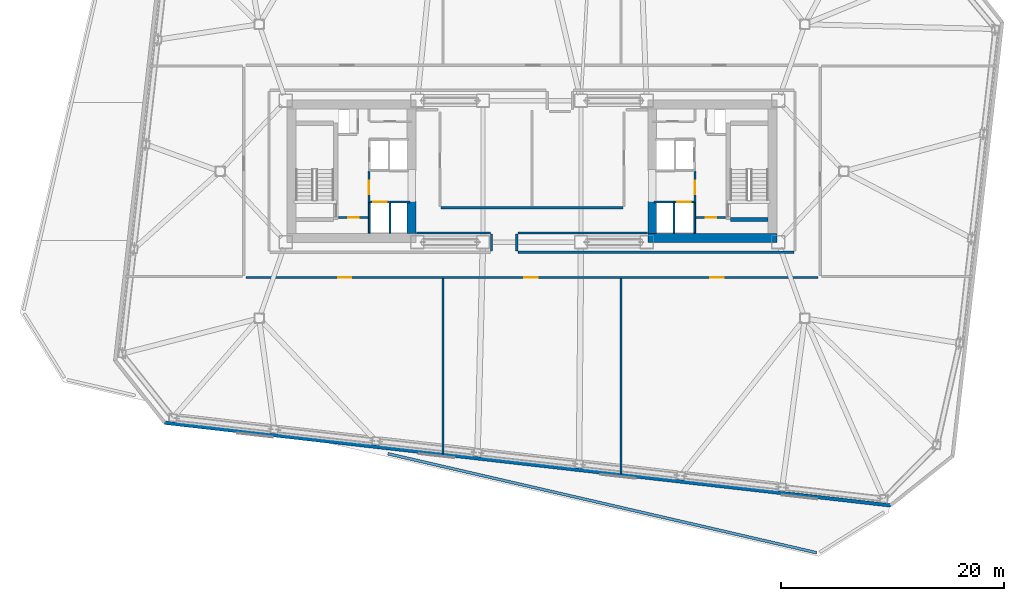
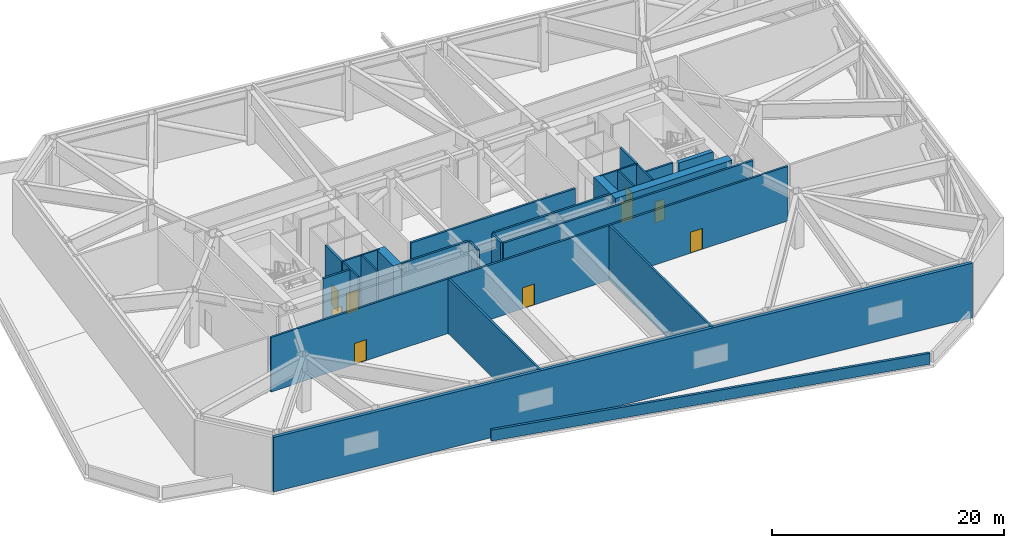
# One storey, part 4 of 14: 27 walls, 9 doors, 9 openings.
"""IFC4 building model written with IfcOpenShell, lengths in metres."""

from ifc_helpers import new_model, si_unit, direction, frame, frame_2d, origin, place, context, subcontext, project, spatial, rectangle, extrude, material, layer, layer_set, type_object, element, fill, save


model = new_model("IFC4")

# Units and contexts
model_context = context("Model", 3, precision=1e-05, world=origin(), true_north=direction((0.0, 1.0)))
body_context = subcontext(model_context, "Body", "Model", "MODEL_VIEW")
ifc_project = project(units=[si_unit("LENGTHUNIT", "METRE"), si_unit("AREAUNIT", "SQUARE_METRE"), si_unit("VOLUMEUNIT", "CUBIC_METRE"), si_unit("PLANEANGLEUNIT", "RADIAN"), si_unit("MASSUNIT", "GRAM", prefix="KILO")], contexts=[model_context])

# Site, building, storey
site_placement = place(None, origin())
site = spatial("IfcSite", under=ifc_project, at=site_placement, CompositionType="ELEMENT")
building_placement = place(site_placement, origin())
building = spatial("IfcBuilding", under=site, at=building_placement, Name="Tavrogorsk Clinical Tower", CompositionType="ELEMENT")
storey_placement = place(building_placement, frame((0.0, 0.0, 83.39990234375)))
storey = spatial("IfcBuildingStorey", under=building, at=storey_placement, Name="L18", CompositionType="ELEMENT", Elevation=83.39990234375)

# Wall, opening, door
ifc_material_1 = material(Name="Concrete B60", Category="concrete")
ifc_layer_1 = layer(ifc_material_1, 0.199951171875)
ifc_layer_set_1 = layer_set([ifc_layer_1], Name="Concrete B60")
wall_type_1 = type_object("IfcWallType", Name="CoreFireWall_200", PredefinedType="SOLIDWALL", material=ifc_layer_set_1)
wall_1_placement = place(storey_placement, frame((-17.3798828125, -4.139892578125, 0.0), z_axis=(0.0, 0.0, 1.0), x_axis=(1.0, 0.0, 0.0)))
wall_1 = element("IfcWall", 1, at=wall_1_placement, inside=storey, type_object=wall_type_1, Name="L18 Core West South Core Room Fire Wall", PredefinedType="SOLIDWALL", context=body_context, shape_type="SweptSolid", body=[
    extrude(rectangle(XDim=2.659912109375, YDim=0.199951171875, at=frame_2d((1.330078125, 0.0))), origin(), (0.0, 0.0, 1.0), 5.739990234375),
])
opening_1_placement = place(wall_1_placement, frame((0.8798828125, 0.0, 0.0)))
opening_1 = element("IfcOpeningElement", 2, at=opening_1_placement, cuts=wall_1, Name="Opening ID-02", PredefinedType="OPENING", context=body_context, shape_type="SweptSolid", body=[
    extrude(rectangle(XDim=0.949951171875, YDim=2.199951171875, at=frame_2d((0.47509765625, 1.10009765625))), frame((0.0, 0.10986328125, 0.0), z_axis=(0.0, -1.0, 0.0), x_axis=(1.0, 0.0, 0.0)), (0.0, 0.0, 1.0), 0.219970703125),
])
ifc_material_2 = material(Name="Laminated timber leaf on aluminium frame", Category="wood")
door_type_1 = type_object("IfcDoorType", Name="InteriorDoor_ID02_950", OperationType="NOTDEFINED", PredefinedType="DOOR", material=ifc_material_2)
door_1_placement = place(opening_1_placement, origin())
door_1 = element("IfcDoor", 3, at=door_1_placement, inside=storey, type_object=door_type_1, Name="L18 Core West South Core Room Door", OperationType="SINGLE_SWING_RIGHT", OverallHeight=2.199951171875, OverallWidth=0.949951171875, PredefinedType="DOOR", context=body_context, shape_type="SweptSolid", body=[
    extrude(rectangle(XDim=0.949951171875, YDim=2.199951171875, at=frame_2d((0.47509765625, 1.10009765625))), frame((0.0, 0.02490234375, 0.0), z_axis=(0.0, -1.0, 0.0), x_axis=(1.0, 0.0, 0.0)), (0.0, 0.0, 1.0), 0.050048828125),
])
fill(opening_1, door_1)

wall_2_placement = place(storey_placement, frame((-14.639892578125, -2.780029296875, 0.0), z_axis=(0.0, 0.0, 1.0), x_axis=(0.0, 1.0, 0.0)))
wall_2 = element("IfcWall", 4, at=wall_2_placement, inside=storey, type_object=wall_type_1, Name="L18 Core West Firefighting Lobby Fire Wall", PredefinedType="SOLIDWALL", context=body_context, shape_type="SweptSolid", body=[
    extrude(rectangle(XDim=2.820068359375, YDim=0.199951171875, at=frame_2d((1.41015625, 0.0))), origin(), (0.0, 0.0, 1.0), 5.739990234375),
])
opening_2_placement = place(wall_2_placement, frame((0.72998046875, 0.0, 0.0)))
opening_2 = element("IfcOpeningElement", 5, at=opening_2_placement, cuts=wall_2, Name="Opening FD-01", PredefinedType="OPENING", context=body_context, shape_type="SweptSolid", body=[
    extrude(rectangle(XDim=1.199951171875, YDim=2.199951171875, at=frame_2d((0.60009765625, 1.10009765625))), frame((0.0, 0.10986328125, 0.0), z_axis=(0.0, -1.0, 0.0), x_axis=(1.0, 0.0, 0.0)), (0.0, 0.0, 1.0), 0.219970703125),
])
ifc_material_3 = material(Name="Galvanised steel fire-rated door assembly", Category="steel")
door_type_2 = type_object("IfcDoorType", Name="FireDoor_FD01_1200", OperationType="NOTDEFINED", PredefinedType="DOOR", material=ifc_material_3)
door_2_placement = place(opening_2_placement, origin())
door_2 = element("IfcDoor", 6, at=door_2_placement, inside=storey, type_object=door_type_2, Name="L18 Core West Firefighting Lobby Entry Door", OperationType="SINGLE_SWING_RIGHT", OverallHeight=2.199951171875, OverallWidth=1.199951171875, PredefinedType="DOOR", context=body_context, shape_type="SweptSolid", body=[
    extrude(rectangle(XDim=1.199951171875, YDim=2.199951171875, at=frame_2d((0.60009765625, 1.10009765625))), frame((0.0, 0.02490234375, 0.0), z_axis=(0.0, -1.0, 0.0), x_axis=(1.0, 0.0, 0.0)), (0.0, 0.0, 1.0), 0.050048828125),
])
fill(opening_2, door_2)

wall_3_placement = place(storey_placement, frame((14.719970703125, -4.139892578125, 0.0), z_axis=(0.0, 0.0, 1.0), x_axis=(1.0, 0.0, 0.0)))
wall_3 = element("IfcWall", 7, at=wall_3_placement, inside=storey, type_object=wall_type_1, Name="L18 Core East South Core Room Fire Wall", PredefinedType="SOLIDWALL", context=body_context, shape_type="SweptSolid", body=[
    extrude(rectangle(XDim=2.659912109375, YDim=0.199951171875, at=frame_2d((1.330078125, 0.0))), origin(), (0.0, 0.0, 1.0), 5.739990234375),
])
opening_3_placement = place(wall_3_placement, frame((0.8798828125, 0.0, 0.0)))
opening_3 = element("IfcOpeningElement", 8, at=opening_3_placement, cuts=wall_3, Name="Opening ID-02", PredefinedType="OPENING", context=body_context, shape_type="SweptSolid", body=[
    extrude(rectangle(XDim=0.949951171875, YDim=2.199951171875, at=frame_2d((0.47509765625, 1.10009765625))), frame((0.0, 0.10986328125, 0.0), z_axis=(0.0, -1.0, 0.0), x_axis=(1.0, 0.0, 0.0)), (0.0, 0.0, 1.0), 0.219970703125),
])
door_3_placement = place(opening_3_placement, origin())
door_3 = element("IfcDoor", 9, at=door_3_placement, inside=storey, type_object=door_type_1, Name="L18 Core East South Core Room Door", OperationType="SINGLE_SWING_RIGHT", OverallHeight=2.199951171875, OverallWidth=0.949951171875, PredefinedType="DOOR", context=body_context, shape_type="SweptSolid", body=[
    extrude(rectangle(XDim=0.949951171875, YDim=2.199951171875, at=frame_2d((0.47509765625, 1.10009765625))), frame((0.0, 0.02490234375, 0.0), z_axis=(0.0, -1.0, 0.0), x_axis=(1.0, 0.0, 0.0)), (0.0, 0.0, 1.0), 0.050048828125),
])
fill(opening_3, door_3)

wall_4_placement = place(storey_placement, frame((14.639892578125, -2.780029296875, 0.0), z_axis=(0.0, 0.0, 1.0), x_axis=(0.0, 1.0, 0.0)))
wall_4 = element("IfcWall", 10, at=wall_4_placement, inside=storey, type_object=wall_type_1, Name="L18 Core East Firefighting Lobby Fire Wall", PredefinedType="SOLIDWALL", context=body_context, shape_type="SweptSolid", body=[
    extrude(rectangle(XDim=2.820068359375, YDim=0.199951171875, at=frame_2d((1.41015625, 0.0))), origin(), (0.0, 0.0, 1.0), 5.739990234375),
])
opening_4_placement = place(wall_4_placement, frame((0.72998046875, 0.0, 0.0)))
opening_4 = element("IfcOpeningElement", 11, at=opening_4_placement, cuts=wall_4, Name="Opening FD-01", PredefinedType="OPENING", context=body_context, shape_type="SweptSolid", body=[
    extrude(rectangle(XDim=1.199951171875, YDim=2.199951171875, at=frame_2d((0.60009765625, 1.10009765625))), frame((0.0, 0.10986328125, 0.0), z_axis=(0.0, -1.0, 0.0), x_axis=(1.0, 0.0, 0.0)), (0.0, 0.0, 1.0), 0.219970703125),
])
door_4_placement = place(opening_4_placement, origin())
door_4 = element("IfcDoor", 12, at=door_4_placement, inside=storey, type_object=door_type_2, Name="L18 Core East Firefighting Lobby Entry Door", OperationType="SINGLE_SWING_RIGHT", OverallHeight=2.199951171875, OverallWidth=1.199951171875, PredefinedType="DOOR", context=body_context, shape_type="SweptSolid", body=[
    extrude(rectangle(XDim=1.199951171875, YDim=2.199951171875, at=frame_2d((0.60009765625, 1.10009765625))), frame((0.0, 0.02490234375, 0.0), z_axis=(0.0, -1.0, 0.0), x_axis=(1.0, 0.0, 0.0)), (0.0, 0.0, 1.0), 0.050048828125),
])
fill(opening_4, door_4)

# Wall, openings, doors
wall_5_placement = place(storey_placement, frame((25.695068359375, -9.530029296875, 0.0), z_axis=(0.0, 0.0, 1.0), x_axis=(-1.0, 0.0, 0.0)))
wall_5 = element("IfcWall", 13, at=wall_5_placement, inside=storey, type_object=wall_type_1, Name="L18 Refuge Corridor Fire Wall 04", PredefinedType="SOLIDWALL", context=body_context, shape_type="SweptSolid", body=[
    extrude(rectangle(XDim=51.39013671875, YDim=0.199951171875, at=frame_2d((25.695068359375, 0.0))), origin(), (0.0, 0.0, 1.0), 5.739990234375),
])
opening_5_placement = place(wall_5_placement, frame((41.906005859375, 0.0, 0.0)))
opening_5 = element("IfcOpeningElement", 14, at=opening_5_placement, cuts=wall_5, Name="Opening FD-01", PredefinedType="OPENING", context=body_context, shape_type="SweptSolid", body=[
    extrude(rectangle(XDim=1.199951171875, YDim=2.199951171875, at=frame_2d((0.60009765625, 1.10009765625))), frame((0.0, 0.10986328125, 0.0), z_axis=(0.0, -1.0, 0.0), x_axis=(1.0, 0.0, 0.0)), (0.0, 0.0, 1.0), 0.219970703125),
])
opening_6_placement = place(wall_5_placement, frame((8.494140625, 0.0, 0.0)))
opening_6 = element("IfcOpeningElement", 15, at=opening_6_placement, cuts=wall_5, Name="Opening FD-01", PredefinedType="OPENING", context=body_context, shape_type="SweptSolid", body=[
    extrude(rectangle(XDim=1.199951171875, YDim=2.199951171875, at=frame_2d((0.60009765625, 1.10009765625))), frame((0.0, 0.10986328125, 0.0), z_axis=(0.0, -1.0, 0.0), x_axis=(1.0, 0.0, 0.0)), (0.0, 0.0, 1.0), 0.219970703125),
])
opening_7_placement = place(wall_5_placement, frame((25.199951171875, 0.0, 0.0)))
opening_7 = element("IfcOpeningElement", 16, at=opening_7_placement, cuts=wall_5, Name="Opening FD-01", PredefinedType="OPENING", context=body_context, shape_type="SweptSolid", body=[
    extrude(rectangle(XDim=1.199951171875, YDim=2.199951171875, at=frame_2d((0.60009765625, 1.10009765625))), frame((0.0, 0.10986328125, 0.0), z_axis=(0.0, -1.0, 0.0), x_axis=(1.0, 0.0, 0.0)), (0.0, 0.0, 1.0), 0.219970703125),
])
door_5_placement = place(opening_5_placement, origin())
door_5 = element("IfcDoor", 17, at=door_5_placement, inside=storey, type_object=door_type_2, Name="L18 Pressurised Patient Refuge Area West Fire Door", OperationType="SINGLE_SWING_LEFT", OverallHeight=2.199951171875, OverallWidth=1.199951171875, PredefinedType="DOOR", context=body_context, shape_type="SweptSolid", body=[
    extrude(rectangle(XDim=1.199951171875, YDim=2.199951171875, at=frame_2d((0.60009765625, 1.10009765625))), frame((0.0, 0.02490234375, 0.0), z_axis=(0.0, -1.0, 0.0), x_axis=(1.0, 0.0, 0.0)), (0.0, 0.0, 1.0), 0.050048828125),
])
fill(opening_5, door_5)
door_6_placement = place(opening_6_placement, origin())
door_6 = element("IfcDoor", 18, at=door_6_placement, inside=storey, type_object=door_type_2, Name="L18 Pressurised Patient Refuge Area East Fire Door", OperationType="SINGLE_SWING_RIGHT", OverallHeight=2.199951171875, OverallWidth=1.199951171875, PredefinedType="DOOR", context=body_context, shape_type="SweptSolid", body=[
    extrude(rectangle(XDim=1.199951171875, YDim=2.199951171875, at=frame_2d((0.60009765625, 1.10009765625))), frame((0.0, 0.02490234375, 0.0), z_axis=(0.0, -1.0, 0.0), x_axis=(1.0, 0.0, 0.0)), (0.0, 0.0, 1.0), 0.050048828125),
])
fill(opening_6, door_6)
door_7_placement = place(opening_7_placement, origin())
door_7 = element("IfcDoor", 19, at=door_7_placement, inside=storey, type_object=door_type_2, Name="L18 Bariatric & Stretcher Holding Refuge Fire Door", OperationType="SINGLE_SWING_LEFT", OverallHeight=2.199951171875, OverallWidth=1.199951171875, PredefinedType="DOOR", context=body_context, shape_type="SweptSolid", body=[
    extrude(rectangle(XDim=1.199951171875, YDim=2.199951171875, at=frame_2d((0.60009765625, 1.10009765625))), frame((0.0, 0.02490234375, 0.0), z_axis=(0.0, -1.0, 0.0), x_axis=(1.0, 0.0, 0.0)), (0.0, 0.0, 1.0), 0.050048828125),
])
fill(opening_7, door_7)

# Walls
wall_6_placement = place(storey_placement, frame((-3.6298828125, -7.1650390625, 0.0), z_axis=(0.0, 0.0, 1.0), x_axis=(0.0, 1.0, 0.0)))
element("IfcWall", 20, at=wall_6_placement, inside=storey, type_object=wall_type_1, Name="L18 Refuge Corridor Fire Wall 05", PredefinedType="SOLIDWALL", context=body_context, shape_type="SweptSolid", body=[
    extrude(rectangle(XDim=1.530029296875, YDim=0.199951171875, at=frame_2d((0.76513671875, 0.0))), origin(), (0.0, 0.0, 1.0), 5.739990234375),
])
wall_7_placement = place(storey_placement, frame((-3.735107421875, -5.530029296875, 0.0), z_axis=(0.0, 0.0, 1.0), x_axis=(-1.0, 0.0, 0.0)))
element("IfcWall", 21, at=wall_7_placement, inside=storey, type_object=wall_type_1, Name="L18 Refuge Corridor Fire Wall 06", PredefinedType="SOLIDWALL", context=body_context, shape_type="SweptSolid", body=[
    extrude(rectangle(XDim=6.644775390625, YDim=0.199951171875, at=frame_2d((3.322265625, 0.0))), origin(), (0.0, 0.0, 1.0), 5.739990234375),
])
wall_8_placement = place(storey_placement, frame((-8.1650390625, -3.27001953125, 0.0), z_axis=(0.0, 0.0, 1.0), x_axis=(1.0, 0.0, 0.0)))
element("IfcWall", 22, at=wall_8_placement, inside=storey, type_object=wall_type_1, Name="L18 Refuge Corridor Fire Wall 09", PredefinedType="SOLIDWALL", context=body_context, shape_type="SweptSolid", body=[
    extrude(rectangle(XDim=16.330078125, YDim=0.199951171875, at=frame_2d((8.1650390625, 0.0))), origin(), (0.0, 0.0, 1.0), 5.739990234375),
])
wall_9_placement = place(storey_placement, frame((10.3798828125, -5.530029296875, 0.0), z_axis=(0.0, 0.0, 1.0), x_axis=(-1.0, 0.0, 0.0)))
element("IfcWall", 23, at=wall_9_placement, inside=storey, type_object=wall_type_1, Name="L18 Refuge Corridor Fire Wall 12", PredefinedType="SOLIDWALL", context=body_context, shape_type="SweptSolid", body=[
    extrude(rectangle(XDim=11.644775390625, YDim=0.199951171875, at=frame_2d((5.822265625, 0.0))), origin(), (0.0, 0.0, 1.0), 5.739990234375),
])
wall_10_placement = place(storey_placement, frame((-1.3701171875, -5.635009765625, 0.0), z_axis=(0.0, 0.0, 1.0), x_axis=(0.0, -1.0, 0.0)))
element("IfcWall", 24, at=wall_10_placement, inside=storey, type_object=wall_type_1, Name="L18 Refuge Corridor Fire Wall 13", PredefinedType="SOLIDWALL", context=body_context, shape_type="SweptSolid", body=[
    extrude(rectangle(XDim=1.530029296875, YDim=0.199951171875, at=frame_2d((0.76513671875, 0.0))), origin(), (0.0, 0.0, 1.0), 5.739990234375),
])
wall_11_placement = place(storey_placement, frame((-1.264892578125, -7.27001953125, 0.0), z_axis=(0.0, 0.0, 1.0), x_axis=(1.0, 0.0, 0.0)))
element("IfcWall", 25, at=wall_11_placement, inside=storey, type_object=wall_type_1, Name="L18 Refuge Corridor Fire Wall 14", PredefinedType="SOLIDWALL", context=body_context, shape_type="SweptSolid", body=[
    extrude(rectangle(XDim=24.77978515625, YDim=0.199951171875, at=frame_2d((12.389892578125, 0.0))), origin(), (0.0, 0.0, 1.0), 5.739990234375),
])
wall_12_placement = place(storey_placement, frame((-8.0, -25.35400390625, 0.0), z_axis=(0.0, 0.0, 1.0), x_axis=(0.0, 1.0, 0.0)))
element("IfcWall", 26, at=wall_12_placement, inside=storey, type_object=wall_type_1, Name="L18 Refuge & Plant Fire Wall 5", PredefinedType="SOLIDWALL", context=body_context, shape_type="SweptSolid", body=[
    extrude(rectangle(XDim=15.718994140625, YDim=0.199951171875, at=frame_2d((7.859375, 0.0))), origin(), (0.0, 0.0, 1.0), 5.739990234375),
])
wall_13_placement = place(storey_placement, frame((8.0, -27.177001953125, 0.0), z_axis=(0.0, 0.0, 1.0), x_axis=(0.0, 1.0, 0.0)))
element("IfcWall", 27, at=wall_13_placement, inside=storey, type_object=wall_type_1, Name="L18 Refuge & Plant Fire Wall 6", PredefinedType="SOLIDWALL", context=body_context, shape_type="SweptSolid", body=[
    extrude(rectangle(XDim=17.5419921875, YDim=0.199951171875, at=frame_2d((8.77099609375, 0.0))), origin(), (0.0, 0.0, 1.0), 5.739990234375),
])
ifc_material_4 = material(Name="Precast concrete B45 acoustic plenum wall", Category="concrete")
ifc_layer_2 = layer(ifc_material_4, 0.320068359375)
ifc_layer_set_2 = layer_set([ifc_layer_2], Name="Precast concrete B45 acoustic plenum wall")
wall_type_2 = type_object("IfcWallType", Name="PlantLouvreWall_320", PredefinedType="STANDARD", material=ifc_layer_set_2)
wall_14_placement = place(storey_placement, frame((-32.978515625, -22.568603515625, 0.0), z_axis=(0.0, 0.0, 1.0), x_axis=(0.993572018655, -0.113201783314, 0.0)))
element("IfcWall", 28, at=wall_14_placement, inside=storey, type_object=wall_type_2, Name="L18 S Limestone Facade Wall 1", PredefinedType="STANDARD", context=body_context, shape_type="SweptSolid", body=[
    extrude(rectangle(XDim=65.599853515625, YDim=0.320068359375, at=frame_2d((32.7998046875, 0.0))), origin(), (0.0, 0.0, 1.0), 5.739990234375),
])
ifc_material_5 = material(Name="Concrete B60", Category="concrete")
ifc_layer_3 = layer(ifc_material_5, 0.25)
ifc_layer_set_3 = layer_set([ifc_layer_3], Name="Concrete B60")
wall_type_3 = type_object("IfcWallType", Name="RoofParapetWall_250", PredefinedType="PARAPET", material=ifc_layer_set_3)
wall_15_placement = place(storey_placement, frame((25.54345703125, -34.2373046875, 0.0), z_axis=(0.0, 0.0, 1.0), x_axis=(-0.974370041139, 0.224951156765, 0.0)))
element("IfcWall", 29, at=wall_15_placement, inside=storey, type_object=wall_type_3, Name="L18 Setback Coping Parapet 6", PredefinedType="PARAPET", context=body_context, shape_type="SweptSolid", body=[
    extrude(rectangle(XDim=39.4931640625, YDim=0.25, at=frame_2d((19.74658203125, 0.0))), origin(), (0.0, 0.0, 1.0), 1.150146484375),
])

# Wall, opening, door
ifc_material_6 = material(Name="Lightweight concrete blockwork B25", Category="masonry")
ifc_layer_4 = layer(ifc_material_6, 0.159912109375)
ifc_layer_set_4 = layer_set([ifc_layer_4], Name="Lightweight concrete blockwork B25")
wall_type_4 = type_object("IfcWallType", Name="ShaftWall_160", PredefinedType="PARTITIONING", material=ifc_layer_set_4)
wall_16_placement = place(storey_placement, frame((-14.530029296875, -2.75, 0.0), z_axis=(0.0, 0.0, 1.0), x_axis=(1.0, 0.0, 0.0)))
wall_16 = element("IfcWall", 30, at=wall_16_placement, inside=storey, type_object=wall_type_4, Name="L18 LP-L1 Lift Shaft Portal Wall", PredefinedType="PARTITIONING", context=body_context, shape_type="SweptSolid", body=[
    extrude(rectangle(XDim=1.760009765625, YDim=0.159912109375, at=frame_2d((0.8798828125, 0.0))), origin(), (0.0, 0.0, 1.0), 5.739990234375),
])
opening_8_placement = place(wall_16_placement, frame((0.280029296875, 0.0, 0.0)))
opening_8 = element("IfcOpeningElement", 31, at=opening_8_placement, cuts=wall_16, Name="Opening LD", PredefinedType="OPENING", context=body_context, shape_type="SweptSolid", body=[
    extrude(rectangle(XDim=1.199951171875, YDim=2.199951171875, at=frame_2d((0.60009765625, 1.10009765625))), frame((0.0, 0.08984375, 0.0), z_axis=(0.0, -1.0, 0.0), x_axis=(1.0, 0.0, 0.0)), (0.0, 0.0, 1.0), 0.179931640625),
])
ifc_material_7 = material(Name="Brushed stainless steel AISI 304 sliding doors", Category="steel")
door_type_3 = type_object("IfcDoorType", Name="LiftLandingDoor_LD_1200", OperationType="SLIDING_TO_LEFT", PredefinedType="DOOR", material=ifc_material_7)
door_8_placement = place(opening_8_placement, origin())
door_8 = element("IfcDoor", 32, at=door_8_placement, inside=storey, type_object=door_type_3, Name="L18 LP-L1 Sliding Lift Landing Door", OperationType="SLIDING_TO_LEFT", OverallHeight=2.199951171875, OverallWidth=1.199951171875, PredefinedType="DOOR", context=body_context, shape_type="SweptSolid", body=[
    extrude(rectangle(XDim=1.199951171875, YDim=2.199951171875, at=frame_2d((0.60009765625, 1.10009765625))), frame((0.0, 0.02490234375, 0.0), z_axis=(0.0, -1.0, 0.0), x_axis=(1.0, 0.0, 0.0)), (0.0, 0.0, 1.0), 0.050048828125),
])
fill(opening_8, door_8)

# Walls
for number, where, z_axis, x_axis, name in (
    (33, (-12.75, -5.5400390625, 0.0), (0.0, 0.0, 1.0), (0.0, 1.0, 0.0), "L18 LP-L1 Lift Hoistway Divider Wall"),
    (34, (-14.610107421875, -5.5400390625, 0.0), (0.0, 0.0, 1.0), (0.0, 1.0, 0.0), "L18 LP-L1 Lift Hoistway Outer Cheek Wall"),
):
    element("IfcWall", number, at=place(storey_placement, frame(where, z_axis=z_axis, x_axis=x_axis)), inside=storey, type_object=wall_type_4, Name=name, PredefinedType="PARTITIONING", context=body_context, shape_type="SweptSolid", body=[
        extrude(rectangle(XDim=2.699951171875, YDim=0.159912109375, at=frame_2d((1.35009765625, 0.0))), origin(), (0.0, 0.0, 1.0), 5.739990234375),
    ])
wall_17_placement = place(storey_placement, frame((-12.72998046875, -2.75, 0.0), z_axis=(0.0, 0.0, 1.0), x_axis=(1.0, 0.0, 0.0)))
element("IfcWall", 35, at=wall_17_placement, inside=storey, type_object=wall_type_4, Name="L18 LP-M1 Lift Shaft Portal Wall", PredefinedType="PARTITIONING", context=body_context, shape_type="SweptSolid", body=[
    extrude(rectangle(XDim=1.760009765625, YDim=0.159912109375, at=frame_2d((0.8798828125, 0.0))), origin(), (0.0, 0.0, 1.0), 5.739990234375),
])

# Wall, opening, door
wall_18_placement = place(storey_placement, frame((12.77001953125, -2.75, 0.0), z_axis=(0.0, 0.0, 1.0), x_axis=(1.0, 0.0, 0.0)))
wall_18 = element("IfcWall", 36, at=wall_18_placement, inside=storey, type_object=wall_type_4, Name="L18 LP-L2 Lift Shaft Portal Wall", PredefinedType="PARTITIONING", context=body_context, shape_type="SweptSolid", body=[
    extrude(rectangle(XDim=1.760009765625, YDim=0.159912109375, at=frame_2d((0.8798828125, 0.0))), origin(), (0.0, 0.0, 1.0), 5.739990234375),
])
opening_9_placement = place(wall_18_placement, frame((0.280029296875, 0.0, 0.0)))
opening_9 = element("IfcOpeningElement", 37, at=opening_9_placement, cuts=wall_18, Name="Opening LD", PredefinedType="OPENING", context=body_context, shape_type="SweptSolid", body=[
    extrude(rectangle(XDim=1.199951171875, YDim=2.199951171875, at=frame_2d((0.60009765625, 1.10009765625))), frame((0.0, 0.08984375, 0.0), z_axis=(0.0, -1.0, 0.0), x_axis=(1.0, 0.0, 0.0)), (0.0, 0.0, 1.0), 0.179931640625),
])
door_9_placement = place(opening_9_placement, origin())
door_9 = element("IfcDoor", 38, at=door_9_placement, inside=storey, type_object=door_type_3, Name="L18 LP-L2 Sliding Lift Landing Door", OperationType="SLIDING_TO_LEFT", OverallHeight=2.199951171875, OverallWidth=1.199951171875, PredefinedType="DOOR", context=body_context, shape_type="SweptSolid", body=[
    extrude(rectangle(XDim=1.199951171875, YDim=2.199951171875, at=frame_2d((0.60009765625, 1.10009765625))), frame((0.0, 0.02490234375, 0.0), z_axis=(0.0, -1.0, 0.0), x_axis=(1.0, 0.0, 0.0)), (0.0, 0.0, 1.0), 0.050048828125),
])
fill(opening_9, door_9)

# Walls
for number, where, z_axis, x_axis, name in (
    (39, (12.75, -5.5400390625, 0.0), (0.0, 0.0, 1.0), (0.0, 1.0, 0.0), "L18 LP-L2 Lift Hoistway Divider Wall"),
    (40, (14.610107421875, -5.5400390625, 0.0), (0.0, 0.0, 1.0), (0.0, 1.0, 0.0), "L18 LP-L2 Lift Hoistway Outer Cheek Wall"),
):
    element("IfcWall", number, at=place(storey_placement, frame(where, z_axis=z_axis, x_axis=x_axis)), inside=storey, type_object=wall_type_4, Name=name, PredefinedType="PARTITIONING", context=body_context, shape_type="SweptSolid", body=[
        extrude(rectangle(XDim=2.699951171875, YDim=0.159912109375, at=frame_2d((1.35009765625, 0.0))), origin(), (0.0, 0.0, 1.0), 5.739990234375),
    ])
wall_19_placement = place(storey_placement, frame((10.969970703125, -2.75, 0.0), z_axis=(0.0, 0.0, 1.0), x_axis=(1.0, 0.0, 0.0)))
element("IfcWall", 41, at=wall_19_placement, inside=storey, type_object=wall_type_4, Name="L18 LP-M2 Lift Shaft Portal Wall", PredefinedType="PARTITIONING", context=body_context, shape_type="SweptSolid", body=[
    extrude(rectangle(XDim=1.760009765625, YDim=0.159912109375, at=frame_2d((0.8798828125, 0.0))), origin(), (0.0, 0.0, 1.0), 5.739990234375),
])
ifc_material_8 = material(Name="Concrete B80", Category="concrete")
ifc_layer_5 = layer(ifc_material_8, 0.39990234375)
ifc_layer_set_5 = layer_set([ifc_layer_5], Name="Concrete B80")
wall_type_5 = type_object("IfcWallType", Name="ShearWall_400", PredefinedType="SHEAR", material=ifc_layer_set_5)
wall_20_placement = place(storey_placement, frame((17.800048828125, -4.324951171875, 0.0), z_axis=(0.0, 0.0, 1.0), x_axis=(1.0, 0.0, 0.0)))
element("IfcWall", 42, at=wall_20_placement, inside=storey, type_object=wall_type_5, Name="L18 Core East Stair Shaft South Shear Wall", PredefinedType="SHEAR", context=body_context, shape_type="SweptSolid", body=[
    extrude(rectangle(XDim=3.39990234375, YDim=0.39990234375, at=frame_2d((1.699951171875, 0.0))), origin(), (0.0, 0.0, 1.0), 5.739990234375),
])
ifc_material_9 = material(Name="Concrete B80", Category="concrete")
ifc_layer_6 = layer(ifc_material_9, 0.800048828125)
ifc_layer_set_6 = layer_set([ifc_layer_6], Name="Concrete B80")
wall_type_6 = type_object("IfcWallType", Name="ShearWall_800", PredefinedType="SHEAR", material=ifc_layer_set_6)
wall_21_placement = place(storey_placement, frame((-10.800048828125, -5.60009765625, 0.0), z_axis=(0.0, 0.0, 1.0), x_axis=(0.0, 1.0, 0.0)))
element("IfcWall", 43, at=wall_21_placement, inside=storey, type_object=wall_type_6, Name="L18 Core West Inner South Pier", PredefinedType="SHEAR", context=body_context, shape_type="SweptSolid", body=[
    extrude(rectangle(XDim=2.9501953125, YDim=0.800048828125, at=frame_2d((1.47509765625, 0.0))), origin(), (0.0, 0.0, 1.0), 5.739990234375),
])
wall_22_placement = place(storey_placement, frame((10.39990234375, -6.0, 0.0), z_axis=(0.0, 0.0, 1.0), x_axis=(1.0, 0.0, 0.0)))
element("IfcWall", 44, at=wall_22_placement, inside=storey, type_object=wall_type_6, Name="L18 Core East South Shear Wall", PredefinedType="SHEAR", context=body_context, shape_type="SweptSolid", body=[
    extrude(rectangle(XDim=11.60009765625, YDim=0.800048828125, at=frame_2d((5.800048828125, 0.0))), origin(), (0.0, 0.0, 1.0), 5.739990234375),
])
wall_23_placement = place(storey_placement, frame((10.800048828125, -5.60009765625, 0.0), z_axis=(0.0, 0.0, 1.0), x_axis=(0.0, 1.0, 0.0)))
element("IfcWall", 45, at=wall_23_placement, inside=storey, type_object=wall_type_6, Name="L18 Core East Inner South Pier", PredefinedType="SHEAR", context=body_context, shape_type="SweptSolid", body=[
    extrude(rectangle(XDim=2.9501953125, YDim=0.800048828125, at=frame_2d((1.47509765625, 0.0))), origin(), (0.0, 0.0, 1.0), 5.739990234375),
])

save(model, "model.ifc")
